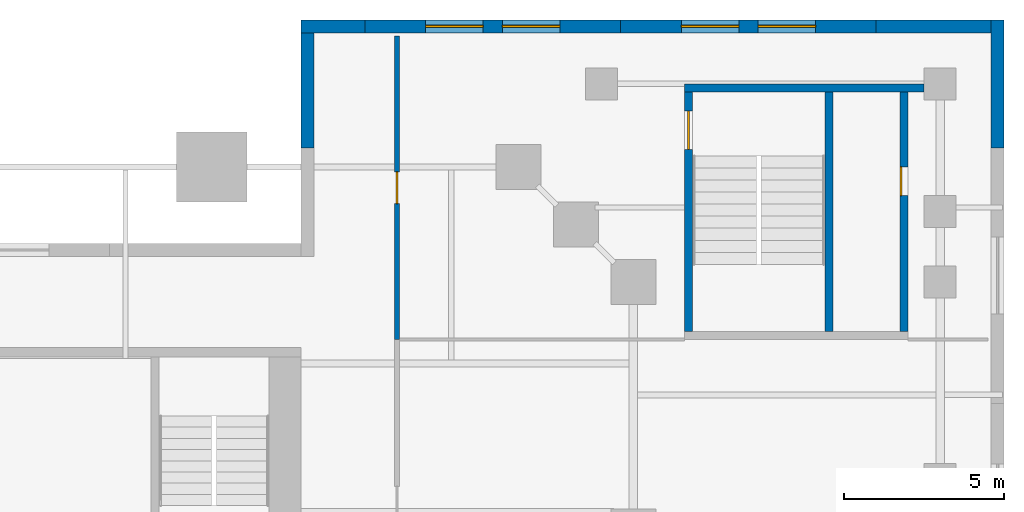
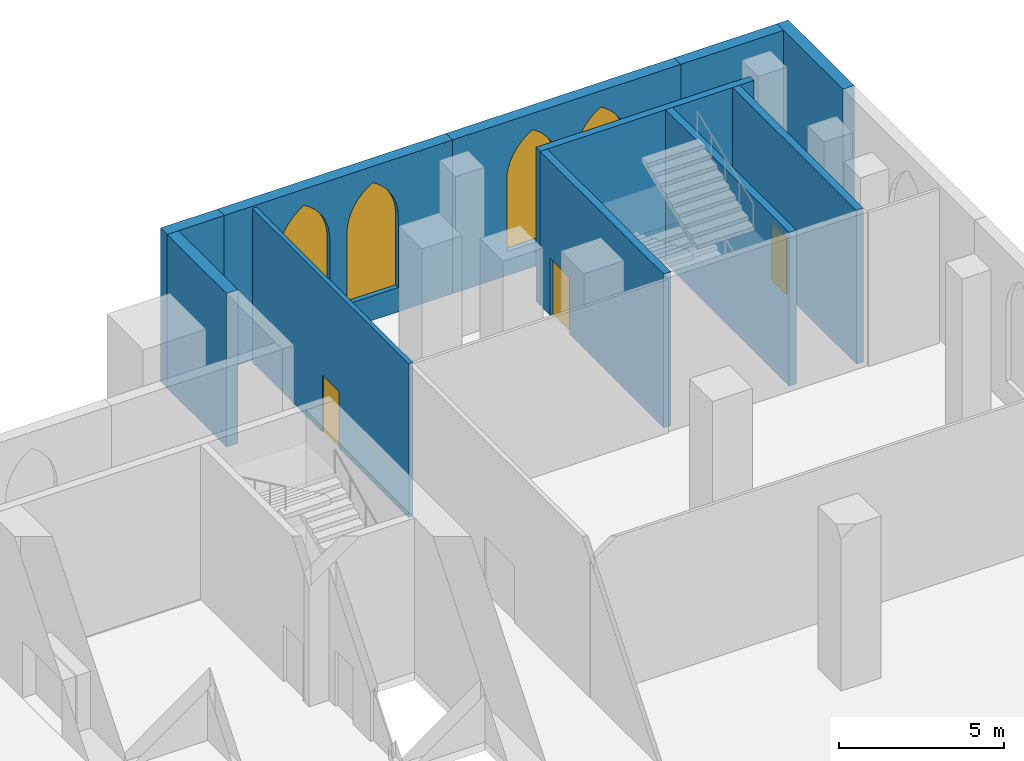
# One storey, part 17 of 21: 11 walls, 4 windows, 3 doors, 7 openings.
"""IFC4 building model written with IfcOpenShell, lengths in metres."""

from ifc_helpers import new_model, si_unit, direction, frame, frame_2d, origin, place, context, subcontext, project, spatial, polyline, rectangle, outline, extrude, material, layer, layer_set, type_object, element, fill, save


model = new_model("IFC4")

# Units and contexts
model_context = context("Model", 3, precision=1e-05, world=origin(), true_north=direction((0.0, 1.0)))
body_context = subcontext(model_context, "Body", "Model", "MODEL_VIEW")
ifc_project = project(units=[si_unit("LENGTHUNIT", "METRE"), si_unit("AREAUNIT", "SQUARE_METRE"), si_unit("VOLUMEUNIT", "CUBIC_METRE"), si_unit("PLANEANGLEUNIT", "RADIAN"), si_unit("MASSUNIT", "GRAM", prefix="KILO")], contexts=[model_context])

# Site, building, storey
site_placement = place(None, origin())
site = spatial("IfcSite", under=ifc_project, at=site_placement, CompositionType="ELEMENT")
building_placement = place(site_placement, origin())
building = spatial("IfcBuilding", under=site, at=building_placement, Name="Ogive Exchange Tower", CompositionType="ELEMENT")
storey_placement = place(building_placement, frame((0.0, 0.0, 8.0)))
storey = spatial("IfcBuildingStorey", under=building, at=storey_placement, Name="L01", CompositionType="ELEMENT", Elevation=8.0)

# Wall, opening, door
ifc_material_1 = material(Name="Fire partition EI 60 150")
ifc_layer_1 = layer(ifc_material_1, 0.14990234375)
ifc_layer_set_1 = layer_set([ifc_layer_1], Name="Fire partition EI 60 150")
wall_type_1 = type_object("IfcWallType", Name="Fire partition EI 60 150", PredefinedType="PARTITIONING", material=ifc_layer_set_1)
wall_1_placement = place(storey_placement, frame((25.0, 26.0, 0.0), z_axis=(0.0, 0.0, 1.0), x_axis=(0.0, 1.0, 0.0)))
wall_1 = element("IfcWall", 1, at=wall_1_placement, inside=storey, type_object=wall_type_1, Name="L01-PWL-065", PredefinedType="PARTITIONING", context=body_context, shape_type="SweptSolid", body=[
    extrude(rectangle(XDim=9.5, YDim=0.14990234375, at=frame_2d((4.75, 0.0))), origin(), (0.0, 0.0, 1.0), 5.699951171875),
])
opening_1_placement = place(wall_1_placement, frame((4.25, 0.0, 0.0)))
opening_1 = element("IfcOpeningElement", 2, at=opening_1_placement, cuts=wall_1, Name="Opening L01-I02", PredefinedType="OPENING", context=body_context, shape_type="SweptSolid", body=[
    extrude(rectangle(XDim=1.0, YDim=2.10009765625, at=frame_2d((0.5, 1.050048828125))), frame((0.0, 0.0849609375, 0.0), z_axis=(0.0, -1.0, 0.0), x_axis=(1.0, 0.0, 0.0)), (0.0, 0.0, 1.0), 0.169921875),
])
ifc_material_2 = material(Name="Fire door FD 30S 1000 x 2100")
door_type_1 = type_object("IfcDoorType", Name="Fire door FD 30S 1000 x 2100", OperationType="NOTDEFINED", PredefinedType="DOOR", material=ifc_material_2)
door_1_placement = place(opening_1_placement, frame((1.0, 0.0, 0.0), z_axis=(0.0, 0.0, 1.0), x_axis=(-1.0, 0.0, 0.0)))
door_1 = element("IfcDoor", 3, at=door_1_placement, inside=storey, type_object=door_type_1, Name="L01-IDR-002", ObjectType="DT3", OperationType="SINGLE_SWING_RIGHT", OverallHeight=2.10009765625, OverallWidth=1.0, PredefinedType="DOOR", context=body_context, shape_type="SweptSolid", body=[
    extrude(rectangle(XDim=1.0, YDim=2.10009765625, at=frame_2d((0.5, 1.050048828125))), frame((0.0, 0.02490234375, 0.0), z_axis=(0.0, -1.0, 0.0), x_axis=(1.0, 0.0, 0.0)), (0.0, 0.0, 1.0), 0.050048828125),
])
fill(opening_1, door_1)

# Walls
ifc_material_3 = material(Name="Precast concrete C40/50", Category="concrete")
ifc_layer_2 = layer(ifc_material_3, 0.39990234375)
ifc_layer_set_2 = layer_set([ifc_layer_2], Name="Limestone-faced wall 400")
wall_type_2 = type_object("IfcWallType", Name="Limestone-faced wall 400", PredefinedType="STANDARD", material=ifc_layer_set_2)
wall_2_placement = place(storey_placement, frame((43.800048828125, 32.0, 0.0), z_axis=(0.0, 0.0, 1.0), x_axis=(0.0, 1.0, 0.0)))
element("IfcWall", 4, at=wall_2_placement, inside=storey, type_object=wall_type_2, Name="Podium wall E12", PredefinedType="STANDARD", context=body_context, shape_type="SweptSolid", body=[
    extrude(rectangle(XDim=4.0, YDim=0.39990234375, at=frame_2d((2.0, 0.0))), origin(), (0.0, 0.0, 1.0), 5.699951171875),
])
wall_3_placement = place(storey_placement, frame((43.60009765625, 35.800048828125, 0.0), z_axis=(0.0, 0.0, 1.0), x_axis=(-1.0, 0.0, 0.0)))
element("IfcWall", 5, at=wall_3_placement, inside=storey, type_object=wall_type_2, Name="Podium wall N1", PredefinedType="STANDARD", context=body_context, shape_type="SweptSolid", body=[
    extrude(rectangle(XDim=3.60009765625, YDim=0.39990234375, at=frame_2d((1.800048828125, 0.0))), origin(), (0.0, 0.0, 1.0), 5.699951171875),
])

# Wall, openings, windows
wall_4_placement = place(storey_placement, frame((40.0, 35.800048828125, 0.0), z_axis=(0.0, 0.0, 1.0), x_axis=(-1.0, 0.0, 0.0)))
wall_4 = element("IfcWall", 6, at=wall_4_placement, inside=storey, type_object=wall_type_2, Name="Podium wall N2", PredefinedType="STANDARD", context=body_context, shape_type="SweptSolid", body=[
    extrude(rectangle(XDim=8.0, YDim=0.39990234375, at=frame_2d((4.0, 0.0))), origin(), (0.0, 0.0, 1.0), 5.699951171875),
])
opening_2_placement = place(wall_4_placement, frame((1.89990234375, 0.0, 0.89990234375)))
opening_2 = element("IfcOpeningElement", 7, at=opening_2_placement, cuts=wall_4, Name="Opening WQ420", PredefinedType="OPENING", context=body_context, shape_type="SweptSolid", body=[
    extrude(outline(polyline([(0.0, 0.0), (1.800048828125, 0.0), (1.800048828125, 2.64111328125), (1.78466796875, 2.8759765625), (1.73876953125, 3.10693359375), (1.6630859375, 3.329833984375), (1.558837890625, 3.541015625), (1.427978515625, 3.73681640625), (1.272705078125, 3.913818359375), (1.095703125, 4.069091796875), (0.89990234375, 4.199951171875), (0.704345703125, 4.069091796875), (0.52734375, 3.913818359375), (0.3720703125, 3.73681640625), (0.2412109375, 3.541015625), (0.136962890625, 3.329833984375), (0.061279296875, 3.10693359375), (0.015380859375, 2.8759765625), (0.0, 2.64111328125), (0.0, 0.0)])), frame((0.0, 0.2099609375, 0.0), z_axis=(0.0, -1.0, 0.0), x_axis=(1.0, 0.0, 0.0)), (0.0, 0.0, 1.0), 0.419921875),
])
opening_3_placement = place(wall_4_placement, frame((4.300048828125, 0.0, 0.89990234375)))
opening_3 = element("IfcOpeningElement", 8, at=opening_3_placement, cuts=wall_4, Name="Opening WQ420", PredefinedType="OPENING", context=body_context, shape_type="SweptSolid", body=[
    extrude(outline(polyline([(0.0, 0.0), (1.800048828125, 0.0), (1.800048828125, 2.64111328125), (1.78466796875, 2.8759765625), (1.73876953125, 3.10693359375), (1.6630859375, 3.329833984375), (1.558837890625, 3.541015625), (1.427978515625, 3.73681640625), (1.272705078125, 3.913818359375), (1.095703125, 4.069091796875), (0.89990234375, 4.199951171875), (0.704345703125, 4.069091796875), (0.52734375, 3.913818359375), (0.3720703125, 3.73681640625), (0.2412109375, 3.541015625), (0.136962890625, 3.329833984375), (0.061279296875, 3.10693359375), (0.015380859375, 2.8759765625), (0.0, 2.64111328125), (0.0, 0.0)])), frame((0.0, 0.2099609375, 0.0), z_axis=(0.0, -1.0, 0.0), x_axis=(1.0, 0.0, 0.0)), (0.0, 0.0, 1.0), 0.419921875),
])
ifc_material_4 = material(Name="Clear glass in bronze frame", Category="glass")
window_type = type_object("IfcWindowType", Name="Podium paired lancet 1800 x 4200", PartitioningType="DOUBLE_PANEL_VERTICAL", PredefinedType="WINDOW", material=ifc_material_4)
window_1_placement = place(opening_2_placement, origin())
window_1 = element("IfcWindow", 9, at=window_1_placement, inside=storey, type_object=window_type, Name="Podium paired lancet N2.1", OverallHeight=4.199951171875, OverallWidth=1.800048828125, PartitioningType="DOUBLE_PANEL_VERTICAL", PredefinedType="WINDOW", context=body_context, shape_type="SweptSolid", body=[
    extrude(outline(polyline([(0.0, 0.0), (1.800048828125, 0.0), (1.800048828125, 2.64111328125), (1.78466796875, 2.8759765625), (1.73876953125, 3.10693359375), (1.6630859375, 3.329833984375), (1.558837890625, 3.541015625), (1.427978515625, 3.73681640625), (1.272705078125, 3.913818359375), (1.095703125, 4.069091796875), (0.89990234375, 4.199951171875), (0.704345703125, 4.069091796875), (0.52734375, 3.913818359375), (0.3720703125, 3.73681640625), (0.2412109375, 3.541015625), (0.136962890625, 3.329833984375), (0.061279296875, 3.10693359375), (0.015380859375, 2.8759765625), (0.0, 2.64111328125), (0.0, 0.0)])), frame((0.0, 0.030029296875, 0.0), z_axis=(0.0, -1.0, 0.0), x_axis=(1.0, 0.0, 0.0)), (0.0, 0.0, 1.0), 0.06005859375),
])
fill(opening_2, window_1)
window_2_placement = place(opening_3_placement, origin())
window_2 = element("IfcWindow", 10, at=window_2_placement, inside=storey, type_object=window_type, Name="Podium paired lancet N2.2", OverallHeight=4.199951171875, OverallWidth=1.800048828125, PartitioningType="DOUBLE_PANEL_VERTICAL", PredefinedType="WINDOW", context=body_context, shape_type="SweptSolid", body=[
    extrude(outline(polyline([(0.0, 0.0), (1.800048828125, 0.0), (1.800048828125, 2.64111328125), (1.78466796875, 2.8759765625), (1.73876953125, 3.10693359375), (1.6630859375, 3.329833984375), (1.558837890625, 3.541015625), (1.427978515625, 3.73681640625), (1.272705078125, 3.913818359375), (1.095703125, 4.069091796875), (0.89990234375, 4.199951171875), (0.704345703125, 4.069091796875), (0.52734375, 3.913818359375), (0.3720703125, 3.73681640625), (0.2412109375, 3.541015625), (0.136962890625, 3.329833984375), (0.061279296875, 3.10693359375), (0.015380859375, 2.8759765625), (0.0, 2.64111328125), (0.0, 0.0)])), frame((0.0, 0.030029296875, 0.0), z_axis=(0.0, -1.0, 0.0), x_axis=(1.0, 0.0, 0.0)), (0.0, 0.0, 1.0), 0.06005859375),
])
fill(opening_3, window_2)

wall_5_placement = place(storey_placement, frame((32.0, 35.800048828125, 0.0), z_axis=(0.0, 0.0, 1.0), x_axis=(-1.0, 0.0, 0.0)))
wall_5 = element("IfcWall", 11, at=wall_5_placement, inside=storey, type_object=wall_type_2, Name="Podium wall N3", PredefinedType="STANDARD", context=body_context, shape_type="SweptSolid", body=[
    extrude(rectangle(XDim=8.0, YDim=0.39990234375, at=frame_2d((4.0, 0.0))), origin(), (0.0, 0.0, 1.0), 5.699951171875),
])
opening_4_placement = place(wall_5_placement, frame((1.89990234375, 0.0, 0.89990234375)))
opening_4 = element("IfcOpeningElement", 12, at=opening_4_placement, cuts=wall_5, Name="Opening WQ420", PredefinedType="OPENING", context=body_context, shape_type="SweptSolid", body=[
    extrude(outline(polyline([(0.0, 0.0), (1.800048828125, 0.0), (1.800048828125, 2.64111328125), (1.78466796875, 2.8759765625), (1.73876953125, 3.10693359375), (1.6630859375, 3.329833984375), (1.558837890625, 3.541015625), (1.427978515625, 3.73681640625), (1.272705078125, 3.913818359375), (1.095703125, 4.069091796875), (0.89990234375, 4.199951171875), (0.704345703125, 4.069091796875), (0.52734375, 3.913818359375), (0.3720703125, 3.73681640625), (0.2412109375, 3.541015625), (0.136962890625, 3.329833984375), (0.061279296875, 3.10693359375), (0.015380859375, 2.8759765625), (0.0, 2.64111328125), (0.0, 0.0)])), frame((0.0, 0.2099609375, 0.0), z_axis=(0.0, -1.0, 0.0), x_axis=(1.0, 0.0, 0.0)), (0.0, 0.0, 1.0), 0.419921875),
])
opening_5_placement = place(wall_5_placement, frame((4.300048828125, 0.0, 0.89990234375)))
opening_5 = element("IfcOpeningElement", 13, at=opening_5_placement, cuts=wall_5, Name="Opening WQ420", PredefinedType="OPENING", context=body_context, shape_type="SweptSolid", body=[
    extrude(outline(polyline([(0.0, 0.0), (1.800048828125, 0.0), (1.800048828125, 2.64111328125), (1.78466796875, 2.8759765625), (1.73876953125, 3.10693359375), (1.6630859375, 3.329833984375), (1.558837890625, 3.541015625), (1.427978515625, 3.73681640625), (1.272705078125, 3.913818359375), (1.095703125, 4.069091796875), (0.89990234375, 4.199951171875), (0.704345703125, 4.069091796875), (0.52734375, 3.913818359375), (0.3720703125, 3.73681640625), (0.2412109375, 3.541015625), (0.136962890625, 3.329833984375), (0.061279296875, 3.10693359375), (0.015380859375, 2.8759765625), (0.0, 2.64111328125), (0.0, 0.0)])), frame((0.0, 0.2099609375, 0.0), z_axis=(0.0, -1.0, 0.0), x_axis=(1.0, 0.0, 0.0)), (0.0, 0.0, 1.0), 0.419921875),
])
window_3_placement = place(opening_4_placement, origin())
window_3 = element("IfcWindow", 14, at=window_3_placement, inside=storey, type_object=window_type, Name="Podium paired lancet N3.1", OverallHeight=4.199951171875, OverallWidth=1.800048828125, PartitioningType="DOUBLE_PANEL_VERTICAL", PredefinedType="WINDOW", context=body_context, shape_type="SweptSolid", body=[
    extrude(outline(polyline([(0.0, 0.0), (1.800048828125, 0.0), (1.800048828125, 2.64111328125), (1.78466796875, 2.8759765625), (1.73876953125, 3.10693359375), (1.6630859375, 3.329833984375), (1.558837890625, 3.541015625), (1.427978515625, 3.73681640625), (1.272705078125, 3.913818359375), (1.095703125, 4.069091796875), (0.89990234375, 4.199951171875), (0.704345703125, 4.069091796875), (0.52734375, 3.913818359375), (0.3720703125, 3.73681640625), (0.2412109375, 3.541015625), (0.136962890625, 3.329833984375), (0.061279296875, 3.10693359375), (0.015380859375, 2.8759765625), (0.0, 2.64111328125), (0.0, 0.0)])), frame((0.0, 0.030029296875, 0.0), z_axis=(0.0, -1.0, 0.0), x_axis=(1.0, 0.0, 0.0)), (0.0, 0.0, 1.0), 0.06005859375),
])
fill(opening_4, window_3)
window_4_placement = place(opening_5_placement, origin())
window_4 = element("IfcWindow", 15, at=window_4_placement, inside=storey, type_object=window_type, Name="Podium paired lancet N3.2", OverallHeight=4.199951171875, OverallWidth=1.800048828125, PartitioningType="DOUBLE_PANEL_VERTICAL", PredefinedType="WINDOW", context=body_context, shape_type="SweptSolid", body=[
    extrude(outline(polyline([(0.0, 0.0), (1.800048828125, 0.0), (1.800048828125, 2.64111328125), (1.78466796875, 2.8759765625), (1.73876953125, 3.10693359375), (1.6630859375, 3.329833984375), (1.558837890625, 3.541015625), (1.427978515625, 3.73681640625), (1.272705078125, 3.913818359375), (1.095703125, 4.069091796875), (0.89990234375, 4.199951171875), (0.704345703125, 4.069091796875), (0.52734375, 3.913818359375), (0.3720703125, 3.73681640625), (0.2412109375, 3.541015625), (0.136962890625, 3.329833984375), (0.061279296875, 3.10693359375), (0.015380859375, 2.8759765625), (0.0, 2.64111328125), (0.0, 0.0)])), frame((0.0, 0.030029296875, 0.0), z_axis=(0.0, -1.0, 0.0), x_axis=(1.0, 0.0, 0.0)), (0.0, 0.0, 1.0), 0.06005859375),
])
fill(opening_5, window_4)

# Walls
wall_6_placement = place(storey_placement, frame((24.0, 35.800048828125, 0.0), z_axis=(0.0, 0.0, 1.0), x_axis=(-1.0, 0.0, 0.0)))
element("IfcWall", 16, at=wall_6_placement, inside=storey, type_object=wall_type_2, Name="Podium wall N4", PredefinedType="STANDARD", context=body_context, shape_type="SweptSolid", body=[
    extrude(rectangle(XDim=2.0, YDim=0.39990234375, at=frame_2d((1.0, 0.0))), origin(), (0.0, 0.0, 1.0), 5.699951171875),
])
wall_7_placement = place(storey_placement, frame((22.199951171875, 35.60009765625, 0.0), z_axis=(0.0, 0.0, 1.0), x_axis=(0.0, -1.0, 0.0)))
element("IfcWall", 17, at=wall_7_placement, inside=storey, type_object=wall_type_2, Name="Podium wall K1", PredefinedType="STANDARD", context=body_context, shape_type="SweptSolid", body=[
    extrude(rectangle(XDim=3.60009765625, YDim=0.39990234375, at=frame_2d((1.800048828125, 0.0))), origin(), (0.0, 0.0, 1.0), 5.699951171875),
])
ifc_material_5 = material(Name="Concrete C70/85", Category="concrete")
ifc_layer_3 = layer(ifc_material_5, 0.25)
ifc_layer_set_3 = layer_set([ifc_layer_3], Name="RC core wall 250 C70/85")
wall_type_3 = type_object("IfcWallType", Name="RC core wall 250 C70/85", PredefinedType="SHEAR", material=ifc_layer_set_3)
wall_8_placement = place(storey_placement, frame((34.0, 33.875, 0.0), z_axis=(0.0, 0.0, 1.0), x_axis=(1.0, 0.0, 0.0)))
element("IfcWall", 18, at=wall_8_placement, inside=storey, type_object=wall_type_3, Name="PS4 north wall", PredefinedType="SHEAR", context=body_context, shape_type="SweptSolid", body=[
    extrude(rectangle(XDim=7.5, YDim=0.25, at=frame_2d((3.75, 0.0))), origin(), (0.0, 0.0, 1.0), 5.699951171875),
])

# Wall, opening, door
wall_9_placement = place(storey_placement, frame((34.125, 26.25, 0.0), z_axis=(0.0, 0.0, 1.0), x_axis=(0.0, 1.0, 0.0)))
wall_9 = element("IfcWall", 19, at=wall_9_placement, inside=storey, type_object=wall_type_3, Name="PS4 west wall", PredefinedType="SHEAR", context=body_context, shape_type="SweptSolid", body=[
    extrude(rectangle(XDim=7.5, YDim=0.25, at=frame_2d((3.75, 0.0))), origin(), (0.0, 0.0, 1.0), 5.699951171875),
])
opening_6_placement = place(wall_9_placement, frame((5.699951171875, 0.0, 0.0)))
opening_6 = element("IfcOpeningElement", 20, at=opening_6_placement, cuts=wall_9, Name="Opening L01-C51", PredefinedType="OPENING", context=body_context, shape_type="SweptSolid", body=[
    extrude(rectangle(XDim=1.199951171875, YDim=2.10009765625, at=frame_2d((0.60009765625, 1.050048828125))), frame((0.0, 0.135009765625, 0.0), z_axis=(0.0, -1.0, 0.0), x_axis=(1.0, 0.0, 0.0)), (0.0, 0.0, 1.0), 0.27001953125),
])
ifc_material_6 = material(Name="Steel fire door", Category="steel")
door_type_2 = type_object("IfcDoorType", Name="Stair door FD90 1200 x 2100", OperationType="NOTDEFINED", PredefinedType="DOOR", material=ifc_material_6)
door_2_placement = place(opening_6_placement, origin())
door_2 = element("IfcDoor", 21, at=door_2_placement, inside=storey, type_object=door_type_2, Name="Stair door", ObjectType="CD5", OperationType="SINGLE_SWING_LEFT", OverallHeight=2.10009765625, OverallWidth=1.199951171875, PredefinedType="DOOR", context=body_context, shape_type="SweptSolid", body=[
    extrude(rectangle(XDim=1.199951171875, YDim=2.10009765625, at=frame_2d((0.60009765625, 1.050048828125))), frame((0.0, 0.02490234375, 0.0), z_axis=(0.0, -1.0, 0.0), x_axis=(1.0, 0.0, 0.0)), (0.0, 0.0, 1.0), 0.050048828125),
])
fill(opening_6, door_2)

wall_10_placement = place(storey_placement, frame((40.875, 26.25, 0.0), z_axis=(0.0, 0.0, 1.0), x_axis=(0.0, 1.0, 0.0)))
wall_10 = element("IfcWall", 22, at=wall_10_placement, inside=storey, type_object=wall_type_3, Name="PS4 east wall", PredefinedType="SHEAR", context=body_context, shape_type="SweptSolid", body=[
    extrude(rectangle(XDim=7.5, YDim=0.25, at=frame_2d((3.75, 0.0))), origin(), (0.0, 0.0, 1.0), 5.699951171875),
])
opening_7_placement = place(wall_10_placement, frame((4.25, 0.0, 0.0)))
opening_7 = element("IfcOpeningElement", 23, at=opening_7_placement, cuts=wall_10, Name="Opening L01-C52", PredefinedType="OPENING", context=body_context, shape_type="SweptSolid", body=[
    extrude(rectangle(XDim=0.89990234375, YDim=2.10009765625, at=frame_2d((0.449951171875, 1.050048828125))), frame((0.0, 0.135009765625, 0.0), z_axis=(0.0, -1.0, 0.0), x_axis=(1.0, 0.0, 0.0)), (0.0, 0.0, 1.0), 0.27001953125),
])
door_type_3 = type_object("IfcDoorType", Name="Riser door FD60 900 x 2100", OperationType="NOTDEFINED", PredefinedType="DOOR", material=ifc_material_6)
door_3_placement = place(opening_7_placement, frame((0.89990234375, 0.2001953125, 0.0), z_axis=(0.0, 0.0, 1.0), x_axis=(-1.0, 0.0, 0.0)))
door_3 = element("IfcDoor", 24, at=door_3_placement, inside=storey, type_object=door_type_3, Name="Riser door", ObjectType="CD2", OperationType="SINGLE_SWING_RIGHT", OverallHeight=2.10009765625, OverallWidth=0.89990234375, PredefinedType="DOOR", context=body_context, shape_type="SweptSolid", body=[
    extrude(rectangle(XDim=0.89990234375, YDim=2.10009765625, at=frame_2d((0.449951171875, 1.050048828125))), frame((0.0, 0.125, 0.0), z_axis=(0.0, -1.0, 0.0), x_axis=(1.0, 0.0, 0.0)), (0.0, 0.0, 1.0), 0.050048828125),
])
fill(opening_7, door_3)

# Wall
wall_11_placement = place(storey_placement, frame((38.52490234375, 26.25, 0.0), z_axis=(0.0, 0.0, 1.0), x_axis=(0.0, 1.0, 0.0)))
element("IfcWall", 25, at=wall_11_placement, inside=storey, type_object=wall_type_3, Name="PS4 partition wall", PredefinedType="SHEAR", context=body_context, shape_type="SweptSolid", body=[
    extrude(rectangle(XDim=7.5, YDim=0.25, at=frame_2d((3.75, 0.0))), origin(), (0.0, 0.0, 1.0), 5.699951171875),
])

save(model, "model.ifc")
